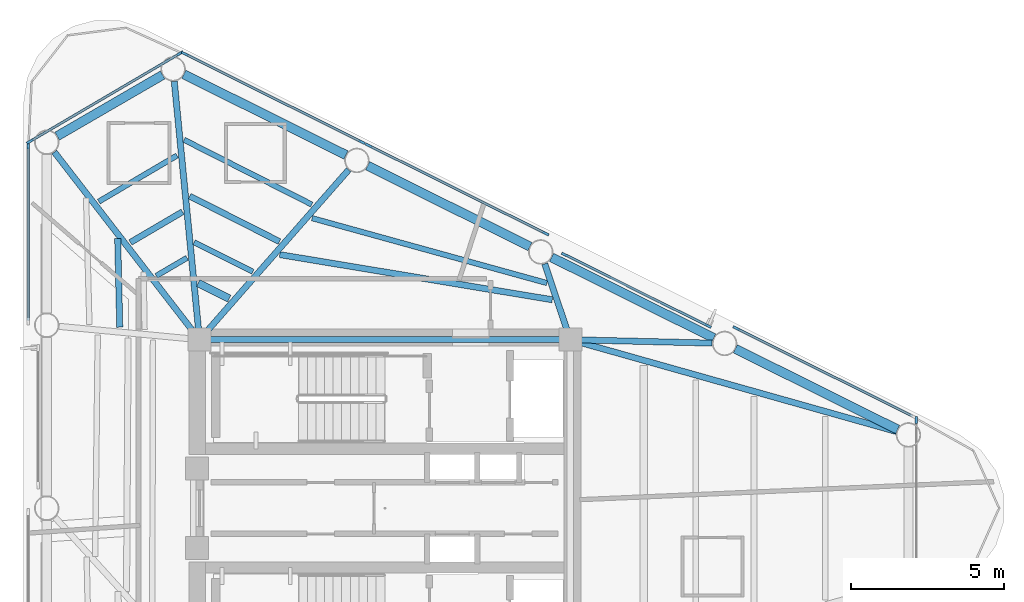
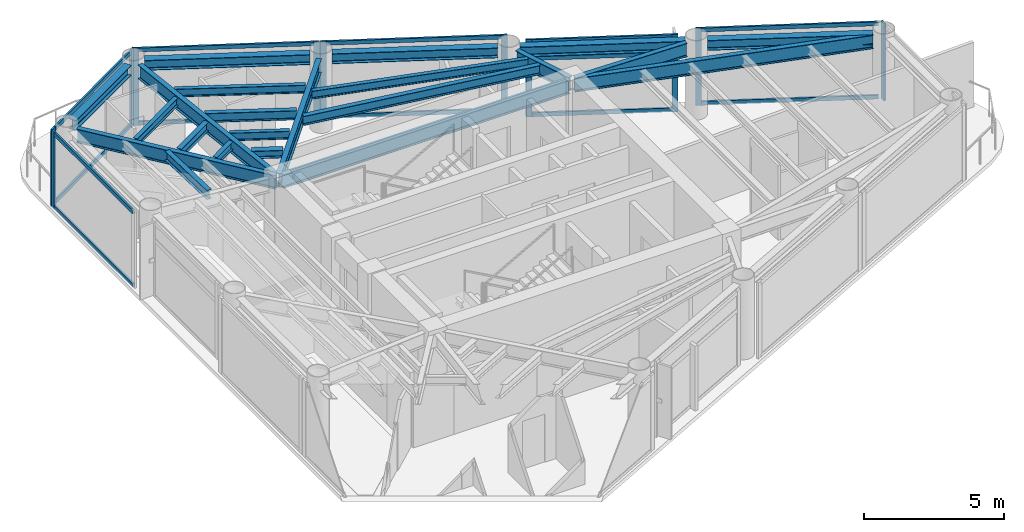
# One storey, part 3 of 10: 24 members, 22 beams, 7 elements without a shape of their own.
"""IFC4 building model written with IfcOpenShell, lengths in metres."""

from ifc_helpers import new_model, si_unit, direction, frame, origin, origin_2d, place, context, subcontext, project, spatial, rectangle, i_section, extrude, source, transform, mapped, material, layer, layer_set, material_profile, profile_set, type_object, element, aggregate, save


model = new_model("IFC4")

# Units and contexts
model_context = context("Model", 3, precision=1e-05, world=origin(), true_north=direction((0.0, 1.0)))
body_context = subcontext(model_context, "Body", "Model", "MODEL_VIEW")
ifc_project = project(units=[si_unit("LENGTHUNIT", "METRE"), si_unit("AREAUNIT", "SQUARE_METRE"), si_unit("VOLUMEUNIT", "CUBIC_METRE"), si_unit("PLANEANGLEUNIT", "RADIAN"), si_unit("MASSUNIT", "GRAM", prefix="KILO")], contexts=[model_context])

# Site, building, storey
site_placement = place(None, origin())
site = spatial("IfcSite", under=ifc_project, at=site_placement, CompositionType="ELEMENT")
building_placement = place(site_placement, origin())
building = spatial("IfcBuilding", under=site, at=building_placement, Name="Yunling Apex Tower", CompositionType="ELEMENT")
storey_placement = place(building_placement, frame((0.0, 0.0, 300.199951171875)))
storey = spatial("IfcBuildingStorey", under=building, at=storey_placement, Name="L73", CompositionType="ELEMENT", Elevation=300.199951171875)

# Beams
ifc_material_1 = material(Name="Steel Q355B", Category="steel")
ifc_material_profile_1 = material_profile(ifc_material_1, i_section(OverallWidth=0.199951171875, OverallDepth=0.60009765625, WebThickness=0.010986328125, FlangeThickness=0.01708984375, FilletRadius=0.02197265625, at=origin_2d()))
ifc_profile_set_1 = profile_set([ifc_material_profile_1], Name="Steel Q355B")
beam_type_1 = type_object("IfcBeamType", Name="BG-PRI-5", PredefinedType="USERDEFINED", material=ifc_profile_set_1)
shared_shape_1 = source(origin(), body_context, "Body", "SweptSolid", [
    extrude(i_section(OverallWidth=0.199951171875, OverallDepth=0.60009765625, WebThickness=0.010986328125, FlangeThickness=0.01708984375, FilletRadius=0.02197265625, at=origin_2d()), origin(), (0.0, 0.0, 1.0), 11.7998046875),
])
beam_1_placement = place(storey_placement, frame((5.89990234375, 5.5, 2.969970703125), z_axis=(-1.0, 0.0, 0.0), x_axis=(0.0, -1.0, 0.0)))
element("IfcBeam", 1, at=beam_1_placement, inside=storey, type_object=beam_type_1, Name="L73 Core Ring Tie Beam 3", ObjectType="GIRDER", PredefinedType="USERDEFINED", context=body_context, shape_type="MappedRepresentation", body=[
    mapped(shared_shape_1, transform((0.0, 0.0, 0.0), scale=1.0)),
])
ifc_material_profile_2 = material_profile(ifc_material_1, i_section(OverallWidth=0.300048828125, OverallDepth=0.43994140625, WebThickness=0.010986328125, FlangeThickness=0.01806640625, FilletRadius=0.02197265625, at=origin_2d()))
ifc_profile_set_2 = profile_set([ifc_material_profile_2], Name="Steel Q355B")
beam_type_2 = type_object("IfcBeamType", Name="BP-SPN-3", PredefinedType="SPANDREL", material=ifc_profile_set_2)
shared_shape_2 = source(origin(), body_context, "Body", "SweptSolid", [
    extrude(i_section(OverallWidth=0.300048828125, OverallDepth=0.43994140625, WebThickness=0.010986328125, FlangeThickness=0.01806640625, FilletRadius=0.02197265625, at=origin_2d()), origin(), (0.0, 0.0, 1.0), 5.914306640625),
])
for number, where, z_axis, x_axis, name in (
    (2, (4.733642578125, 8.539794921875, 3.050048828125), (-0.895267705164, 0.445528602999, 0.0), (-0.445528602999, -0.895267705164, 0.0), "L73 Perimeter Spandrel Beam 8"),
    (3, (-1.2666015625, 11.52587890625, 3.050048828125), (-0.895243044542, 0.445578153861, 0.0), (-0.445578153861, -0.895243044542, 0.0), "L73 Perimeter Spandrel Beam 9"),
):
    element("IfcBeam", number, at=place(storey_placement, frame(where, z_axis=z_axis, x_axis=x_axis)), inside=storey, type_object=beam_type_2, Name=name, PredefinedType="SPANDREL", context=body_context, shape_type="MappedRepresentation", body=[
        mapped(shared_shape_2, transform((0.0, 0.0, 0.0), scale=1.0)),
    ])
shared_shape_3 = source(origin(), body_context, "Body", "SweptSolid", [
    extrude(i_section(OverallWidth=0.300048828125, OverallDepth=0.43994140625, WebThickness=0.010986328125, FlangeThickness=0.01806640625, FilletRadius=0.02197265625, at=origin_2d()), origin(), (0.0, 0.0, 1.0), 5.9140625),
])
for number, where, z_axis, x_axis, name in (
    (4, (16.73388671875, 2.567138671875, 3.050048828125), (-0.895259510924, 0.445545068539, 0.0), (-0.445545068539, -0.895259510924, 0.0), "L73 Perimeter Spandrel Beam 6"),
    (5, (10.733642578125, 5.553466796875, 3.050048828125), (-0.895259510924, 0.445545068539, 0.0), (-0.445545068539, -0.895259510924, 0.0), "L73 Perimeter Spandrel Beam 7"),
):
    element("IfcBeam", number, at=place(storey_placement, frame(where, z_axis=z_axis, x_axis=x_axis)), inside=storey, type_object=beam_type_2, Name=name, PredefinedType="SPANDREL", context=body_context, shape_type="MappedRepresentation", body=[
        mapped(shared_shape_3, transform((0.0, 0.0, 0.0), scale=1.0)),
    ])
shared_shape_4 = source(origin(), body_context, "Body", "SweptSolid", [
    extrude(i_section(OverallWidth=0.300048828125, OverallDepth=0.43994140625, WebThickness=0.010986328125, FlangeThickness=0.01806640625, FilletRadius=0.02197265625, at=origin_2d()), origin(), (0.0, 0.0, 1.0), 3.978515625),
])
beam_2_placement = place(storey_placement, frame((-7.2548828125, 14.138916015625, 3.050048828125), z_axis=(-0.865064744393, -0.501660231639, 0.0), x_axis=(0.501660231639, -0.865064744393, 0.0)))
element("IfcBeam", 6, at=beam_2_placement, inside=storey, type_object=beam_type_2, Name="L73 Perimeter Spandrel Beam 10", PredefinedType="SPANDREL", context=body_context, shape_type="MappedRepresentation", body=[
    mapped(shared_shape_4, transform((0.0, 0.0, 0.0), scale=1.0)),
])
shared_shape_5 = source(origin(), body_context, "Body", "SweptSolid", [
    extrude(i_section(OverallWidth=0.199951171875, OverallDepth=0.60009765625, WebThickness=0.010986328125, FlangeThickness=0.01708984375, FilletRadius=0.02197265625, at=origin_2d()), origin(), (0.0, 0.0, 1.0), 8.390869140625),
])
beam_3_placement = place(storey_placement, frame((-6.874267578125, 13.9306640625, 2.969970703125), z_axis=(0.097296792844, -0.995255411491, 0.0), x_axis=(0.995255411491, 0.097296792844, 0.0)))
element("IfcBeam", 7, at=beam_3_placement, inside=storey, type_object=beam_type_1, Name="L73 Radial Primary Girder R10", ObjectType="GIRDER", PredefinedType="USERDEFINED", context=body_context, shape_type="MappedRepresentation", body=[
    mapped(shared_shape_5, transform((0.0, 0.0, 0.0), scale=1.0)),
])
shared_shape_6 = source(origin(), body_context, "Body", "SweptSolid", [
    extrude(i_section(OverallWidth=0.199951171875, OverallDepth=0.60009765625, WebThickness=0.010986328125, FlangeThickness=0.01708984375, FilletRadius=0.02197265625, at=origin_2d()), origin(), (0.0, 0.0, 1.0), 7.297119140625),
])
beam_4_placement = place(storey_placement, frame((-1.18310546875, 11.043701171875, 2.969970703125), z_axis=(-0.659747259747, -0.751487560281, 0.0), x_axis=(0.751487560281, -0.659747259747, 0.0)))
element("IfcBeam", 8, at=beam_4_placement, inside=storey, type_object=beam_type_1, Name="L73 Radial Primary Girder R09", ObjectType="GIRDER", PredefinedType="USERDEFINED", context=body_context, shape_type="MappedRepresentation", body=[
    mapped(shared_shape_6, transform((0.0, 0.0, 0.0), scale=1.0)),
])
shared_shape_7 = source(origin(), body_context, "Body", "SweptSolid", [
    extrude(i_section(OverallWidth=0.199951171875, OverallDepth=0.60009765625, WebThickness=0.010986328125, FlangeThickness=0.01708984375, FilletRadius=0.02197265625, at=origin_2d()), origin(), (0.0, 0.0, 1.0), 2.533935546875),
])
beam_5_placement = place(storey_placement, frame((5.21630859375, 7.977294921875, 2.969970703125), z_axis=(0.318914628896, -0.947783445454, 0.0), x_axis=(0.947783445454, 0.318914628896, 0.0)))
element("IfcBeam", 9, at=beam_5_placement, inside=storey, type_object=beam_type_1, Name="L73 Radial Primary Girder R08", ObjectType="GIRDER", PredefinedType="USERDEFINED", context=body_context, shape_type="MappedRepresentation", body=[
    mapped(shared_shape_7, transform((0.0, 0.0, 0.0), scale=1.0)),
])
shared_shape_8 = source(origin(), body_context, "Body", "SweptSolid", [
    extrude(i_section(OverallWidth=0.199951171875, OverallDepth=0.60009765625, WebThickness=0.010986328125, FlangeThickness=0.01708984375, FilletRadius=0.02197265625, at=origin_2d()), origin(), (0.0, 0.0, 1.0), 4.5498046875),
])
beam_6_placement = place(storey_placement, frame((10.678466796875, 5.3876953125, 2.969970703125), z_axis=(-0.999705840498, 0.024253504369, 0.0), x_axis=(-0.024253504369, -0.999705840498, 0.0)))
element("IfcBeam", 10, at=beam_6_placement, inside=storey, type_object=beam_type_1, Name="L73 Radial Primary Girder R07", ObjectType="GIRDER", PredefinedType="USERDEFINED", context=body_context, shape_type="MappedRepresentation", body=[
    mapped(shared_shape_8, transform((0.0, 0.0, 0.0), scale=1.0)),
])
shared_shape_9 = source(origin(), body_context, "Body", "SweptSolid", [
    extrude(i_section(OverallWidth=0.199951171875, OverallDepth=0.60009765625, WebThickness=0.010986328125, FlangeThickness=0.01708984375, FilletRadius=0.02197265625, at=origin_2d()), origin(), (0.0, 0.0, 1.0), 10.97802734375),
])
beam_7_placement = place(storey_placement, frame((16.69384765625, 2.502197265625, 2.969970703125), z_axis=(-0.962552702816, 0.271094622414, 0.0), x_axis=(-0.271094622414, -0.962552702816, 0.0)))
element("IfcBeam", 11, at=beam_7_placement, inside=storey, type_object=beam_type_1, Name="L73 Radial Primary Girder R06", ObjectType="GIRDER", PredefinedType="USERDEFINED", context=body_context, shape_type="MappedRepresentation", body=[
    mapped(shared_shape_9, transform((0.0, 0.0, 0.0), scale=1.0)),
])
shared_shape_10 = source(origin(), body_context, "Body", "SweptSolid", [
    extrude(i_section(OverallWidth=0.199951171875, OverallDepth=0.60009765625, WebThickness=0.010986328125, FlangeThickness=0.01708984375, FilletRadius=0.02197265625, at=origin_2d()), origin(), (0.0, 0.0, 1.0), 7.661376953125),
])
beam_8_placement = place(storey_placement, frame((-10.78759765625, 11.62255859375, 2.969970703125), z_axis=(0.611959789037, -0.790888877531, 0.0), x_axis=(0.790888877531, 0.611959789037, 0.0)))
element("IfcBeam", 12, at=beam_8_placement, inside=storey, type_object=beam_type_1, Name="L73 Radial Primary Girder R11", ObjectType="GIRDER", PredefinedType="USERDEFINED", context=body_context, shape_type="MappedRepresentation", body=[
    mapped(shared_shape_10, transform((0.0, 0.0, 0.0), scale=1.0)),
])
ifc_material_profile_3 = material_profile(ifc_material_1, i_section(OverallWidth=0.199951171875, OverallDepth=0.39990234375, WebThickness=0.008056640625, FlangeThickness=0.012939453125, FilletRadius=0.01611328125, at=origin_2d()))
ifc_profile_set_3 = profile_set([ifc_material_profile_3], Name="Steel Q355B")
beam_type_3 = type_object("IfcBeamType", Name="BS-SEC-4", PredefinedType="BEAM", material=ifc_profile_set_3)
shared_shape_11 = source(origin(), body_context, "Body", "SweptSolid", [
    extrude(i_section(OverallWidth=0.199951171875, OverallDepth=0.39990234375, WebThickness=0.008056640625, FlangeThickness=0.012939453125, FilletRadius=0.01611328125, at=origin_2d()), origin(), (0.0, 0.0, 1.0), 3.281494140625),
])
beam_9_placement = place(storey_placement, frame((-3.444091796875, 8.703125, 3.070068359375), z_axis=(-0.892364297468, 0.451315810275, 0.0), x_axis=(-0.451315810275, -0.892364297468, 0.0)))
element("IfcBeam", 13, at=beam_9_placement, inside=storey, type_object=beam_type_3, Name="L73 Composite Floor Beam BS-9", PredefinedType="BEAM", context=body_context, shape_type="MappedRepresentation", body=[
    mapped(shared_shape_11, transform((0.0, 0.0, 0.0), scale=1.0)),
])
ifc_material_profile_4 = material_profile(ifc_material_1, i_section(OverallWidth=0.175048828125, OverallDepth=0.35009765625, WebThickness=0.007080078125, FlangeThickness=0.010986328125, FilletRadius=0.013916015625, at=origin_2d()))
ifc_profile_set_4 = profile_set([ifc_material_profile_4], Name="Steel Q355B")
beam_type_4 = type_object("IfcBeamType", Name="BJ-JST-1", PredefinedType="JOIST", material=ifc_profile_set_4)
shared_shape_12 = source(origin(), body_context, "Body", "SweptSolid", [
    extrude(i_section(OverallWidth=0.175048828125, OverallDepth=0.35009765625, WebThickness=0.007080078125, FlangeThickness=0.010986328125, FilletRadius=0.013916015625, at=origin_2d()), origin(), (0.0, 0.0, 1.0), 4.67138671875),
])
beam_10_placement = place(storey_placement, frame((-2.385009765625, 9.90966796875, 3.094970703125), z_axis=(-0.892031280848, 0.45197366515, 0.0), x_axis=(-0.45197366515, -0.892031280848, 0.0)))
element("IfcBeam", 14, at=beam_10_placement, inside=storey, type_object=beam_type_4, Name="L73 Composite Floor Joist BJ1-9", PredefinedType="JOIST", context=body_context, shape_type="MappedRepresentation", body=[
    mapped(shared_shape_12, transform((0.0, 0.0, 0.0), scale=1.0)),
])
shared_shape_13 = source(origin(), body_context, "Body", "SweptSolid", [
    extrude(i_section(OverallWidth=0.175048828125, OverallDepth=0.35009765625, WebThickness=0.007080078125, FlangeThickness=0.010986328125, FilletRadius=0.013916015625, at=origin_2d()), origin(), (0.0, 0.0, 1.0), 2.143798828125),
])
beam_11_placement = place(storey_placement, frame((-4.310791015625, 7.7158203125, 3.094970703125), z_axis=(-0.892941835578, 0.45017205408, 0.0), x_axis=(-0.45017205408, -0.892941835578, 0.0)))
element("IfcBeam", 15, at=beam_11_placement, inside=storey, type_object=beam_type_4, Name="L73 Composite Floor Joist BJ3-9", PredefinedType="JOIST", context=body_context, shape_type="MappedRepresentation", body=[
    mapped(shared_shape_13, transform((0.0, 0.0, 0.0), scale=1.0)),
])
ifc_material_profile_5 = material_profile(ifc_material_1, i_section(OverallWidth=0.25, OverallDepth=0.340087890625, WebThickness=0.009033203125, FlangeThickness=0.013916015625, FilletRadius=0.01806640625, at=origin_2d()))
ifc_profile_set_5 = profile_set([ifc_material_profile_5], Name="Steel Q355B")
beam_type_5 = type_object("IfcBeamType", Name="BJ-JST-2", PredefinedType="JOIST", material=ifc_profile_set_5)
shared_shape_14 = source(origin(), body_context, "Body", "SweptSolid", [
    extrude(i_section(OverallWidth=0.25, OverallDepth=0.340087890625, WebThickness=0.009033203125, FlangeThickness=0.013916015625, FilletRadius=0.01806640625, at=origin_2d()), origin(), (0.0, 0.0, 1.0), 1.1328125),
])
beam_12_placement = place(storey_placement, frame((-5.081298828125, 6.838134765625, 3.10009765625), z_axis=(-0.894211562533, 0.447644592765, 0.0), x_axis=(-0.447644592765, -0.894211562533, 0.0)))
element("IfcBeam", 16, at=beam_12_placement, inside=storey, type_object=beam_type_5, Name="L73 Composite Floor Joist BJ2-9", PredefinedType="JOIST", context=body_context, shape_type="MappedRepresentation", body=[
    mapped(shared_shape_14, transform((0.0, 0.0, 0.0), scale=1.0)),
])
shared_shape_15 = source(origin(), body_context, "Body", "SweptSolid", [
    extrude(i_section(OverallWidth=0.199951171875, OverallDepth=0.39990234375, WebThickness=0.008056640625, FlangeThickness=0.012939453125, FilletRadius=0.01611328125, at=origin_2d()), origin(), (0.0, 0.0, 1.0), 9.01611328125),
])
beam_13_placement = place(storey_placement, frame((5.462646484375, 6.802734375, 3.070068359375), z_axis=(-0.986561729833, 0.163388962996, 0.0), x_axis=(-0.163388962996, -0.986561729833, 0.0)))
element("IfcBeam", 17, at=beam_13_placement, inside=storey, type_object=beam_type_3, Name="L73 Composite Floor Beam BS-8", PredefinedType="BEAM", context=body_context, shape_type="MappedRepresentation", body=[
    mapped(shared_shape_15, transform((0.0, 0.0, 0.0), scale=1.0)),
])
shared_shape_16 = source(origin(), body_context, "Body", "SweptSolid", [
    extrude(i_section(OverallWidth=0.175048828125, OverallDepth=0.35009765625, WebThickness=0.007080078125, FlangeThickness=0.010986328125, FilletRadius=0.013916015625, at=origin_2d()), origin(), (0.0, 0.0, 1.0), 7.952392578125),
])
beam_14_placement = place(storey_placement, frame((5.288330078125, 7.34765625, 3.094970703125), z_axis=(-0.963874198485, 0.266357897377, 0.0), x_axis=(-0.266357897377, -0.963874198485, 0.0)))
element("IfcBeam", 18, at=beam_14_placement, inside=storey, type_object=beam_type_4, Name="L73 Composite Floor Joist BJ1-8", PredefinedType="JOIST", context=body_context, shape_type="MappedRepresentation", body=[
    mapped(shared_shape_16, transform((0.0, 0.0, 0.0), scale=1.0)),
])
shared_shape_17 = source(origin(), body_context, "Body", "SweptSolid", [
    extrude(i_section(OverallWidth=0.199951171875, OverallDepth=0.39990234375, WebThickness=0.008056640625, FlangeThickness=0.012939453125, FilletRadius=0.01611328125, at=origin_2d()), origin(), (0.0, 0.0, 1.0), 1.9736328125),
])
beam_15_placement = place(storey_placement, frame((-6.60400390625, 9.674072265625, 3.070068359375), z_axis=(-0.862118606545, -0.506706530694, 0.0), x_axis=(0.506706530694, -0.862118606545, 0.0)))
element("IfcBeam", 19, at=beam_15_placement, inside=storey, type_object=beam_type_3, Name="L73 Composite Floor Beam BS-10", PredefinedType="BEAM", context=body_context, shape_type="MappedRepresentation", body=[
    mapped(shared_shape_17, transform((0.0, 0.0, 0.0), scale=1.0)),
])
shared_shape_18 = source(origin(), body_context, "Body", "SweptSolid", [
    extrude(i_section(OverallWidth=0.175048828125, OverallDepth=0.35009765625, WebThickness=0.007080078125, FlangeThickness=0.010986328125, FilletRadius=0.013916015625, at=origin_2d()), origin(), (0.0, 0.0, 1.0), 2.96337890625),
])
beam_16_placement = place(storey_placement, frame((-6.783447265625, 11.510986328125, 3.094970703125), z_axis=(-0.861658767358, -0.507488097038, 0.0), x_axis=(0.507488097038, -0.861658767358, 0.0)))
element("IfcBeam", 20, at=beam_16_placement, inside=storey, type_object=beam_type_4, Name="L73 Composite Floor Joist BJ1-10", PredefinedType="JOIST", context=body_context, shape_type="MappedRepresentation", body=[
    mapped(shared_shape_18, transform((0.0, 0.0, 0.0), scale=1.0)),
])
shared_shape_19 = source(origin(), body_context, "Body", "SweptSolid", [
    extrude(i_section(OverallWidth=0.175048828125, OverallDepth=0.35009765625, WebThickness=0.007080078125, FlangeThickness=0.010986328125, FilletRadius=0.013916015625, at=origin_2d()), origin(), (0.0, 0.0, 1.0), 1.16357421875),
])
beam_17_placement = place(storey_placement, frame((-6.457275390625, 8.171142578125, 3.094970703125), z_axis=(-0.862833680606, -0.50548792232, 0.0), x_axis=(0.50548792232, -0.862833680606, 0.0)))
element("IfcBeam", 21, at=beam_17_placement, inside=storey, type_object=beam_type_4, Name="L73 Composite Floor Joist BJ3-10", PredefinedType="JOIST", context=body_context, shape_type="MappedRepresentation", body=[
    mapped(shared_shape_19, transform((0.0, 0.0, 0.0), scale=1.0)),
])
shared_shape_20 = source(origin(), body_context, "Body", "SweptSolid", [
    extrude(i_section(OverallWidth=0.199951171875, OverallDepth=0.39990234375, WebThickness=0.008056640625, FlangeThickness=0.012939453125, FilletRadius=0.01611328125, at=origin_2d()), origin(), (0.0, 0.0, 1.0), 2.890869140625),
])
beam_18_placement = place(storey_placement, frame((-8.720947265625, 8.796630859375, 3.070068359375), z_axis=(0.023139604217, -0.999732243512, 0.0), x_axis=(0.999732243512, 0.023139604217, 0.0)))
element("IfcBeam", 22, at=beam_18_placement, inside=storey, type_object=beam_type_3, Name="L73 Composite Floor Beam BS-11", PredefinedType="BEAM", context=body_context, shape_type="MappedRepresentation", body=[
    mapped(shared_shape_20, transform((0.0, 0.0, 0.0), scale=1.0)),
])

# Curtain wall, members
ifc_material_2 = material(Name="Bronze anodised aluminium", Category="aluminium")
ifc_layer = layer(ifc_material_2, 0.219970703125)
ifc_layer_set = layer_set([ifc_layer], Name="Bronze anodised aluminium")
curtain_wall_type = type_object("IfcCurtainWallType", Name="CW-SYS-4", PredefinedType="NOTDEFINED", material=ifc_layer_set)
curtain_wall_1_placement = place(storey_placement, origin())
curtain_wall_1 = element("IfcCurtainWall", 23, at=curtain_wall_1_placement, inside=storey, type_object=curtain_wall_type, Name="CW-L73-F2-B4", PredefinedType="NOTDEFINED")
ifc_material_profile_6 = material_profile(ifc_material_2, rectangle(XDim=0.080078125, YDim=0.169921875, at=origin_2d()))
ifc_profile_set_6 = profile_set([ifc_material_profile_6], Name="Bronze anodised aluminium")
member_type_1 = type_object("IfcMemberType", Name="CW-TRN-4", PredefinedType="USERDEFINED", material=ifc_profile_set_6)
shared_shape_21 = source(origin(), body_context, "Body", "SweptSolid", [
    extrude(rectangle(XDim=0.080078125, YDim=0.169921875, at=origin_2d()), origin(), (0.0, 0.0, 1.0), 6.39013671875),
])
member_1_placement = place(storey_placement, frame((-0.78173828125, 11.966064453125, 0.0400390625), z_axis=(-0.89525092504, 0.445562320238, 0.0), x_axis=(-0.445562320238, -0.89525092504, 0.0)))
member_1 = element("IfcMember", 24, at=member_1_placement, type_object=member_type_1, Name="CW-SYS-4 transom 1.1", ObjectType="TRANSOM", PredefinedType="USERDEFINED", context=body_context, shape_type="MappedRepresentation", body=[
    mapped(shared_shape_21, transform((0.0, 0.0, 0.0), scale=1.0)),
])
member_2_placement = place(storey_placement, frame((-0.78173828125, 11.966064453125, 3.22998046875), z_axis=(-0.89525092504, 0.445562320238, 0.0), x_axis=(-0.445562320238, -0.89525092504, 0.0)))
member_2 = element("IfcMember", 25, at=member_2_placement, type_object=member_type_1, Name="CW-SYS-4 transom 1.2", ObjectType="TRANSOM", PredefinedType="USERDEFINED", context=body_context, shape_type="MappedRepresentation", body=[
    mapped(shared_shape_21, transform((0.0, 0.0, 0.0), scale=1.0)),
])

curtain_wall_2_placement = place(storey_placement, origin())
curtain_wall_2 = element("IfcCurtainWall", 26, at=curtain_wall_2_placement, inside=storey, type_object=curtain_wall_type, Name="CW-L73-F2-B1", PredefinedType="NOTDEFINED")
shared_shape_22 = source(origin(), body_context, "Body", "SweptSolid", [
    extrude(rectangle(XDim=0.080078125, YDim=0.169921875, at=origin_2d()), origin(), (0.0, 0.0, 1.0), 6.390380859375),
])
member_3_placement = place(storey_placement, frame((17.21875, 3.007080078125, 0.0400390625), z_axis=(-0.895258509594, 0.445547080565, 0.0), x_axis=(-0.445547080565, -0.895258509594, 0.0)))
member_3 = element("IfcMember", 27, at=member_3_placement, type_object=member_type_1, Name="CW-SYS-4 transom 1.1", ObjectType="TRANSOM", PredefinedType="USERDEFINED", context=body_context, shape_type="MappedRepresentation", body=[
    mapped(shared_shape_22, transform((0.0, 0.0, 0.0), scale=1.0)),
])
member_4_placement = place(storey_placement, frame((17.21875, 3.007080078125, 3.22998046875), z_axis=(-0.895258509594, 0.445547080565, 0.0), x_axis=(-0.445547080565, -0.895258509594, 0.0)))
member_4 = element("IfcMember", 28, at=member_4_placement, type_object=member_type_1, Name="CW-SYS-4 transom 1.2", ObjectType="TRANSOM", PredefinedType="USERDEFINED", context=body_context, shape_type="MappedRepresentation", body=[
    mapped(shared_shape_22, transform((0.0, 0.0, 0.0), scale=1.0)),
])

curtain_wall_3_placement = place(storey_placement, origin())
curtain_wall_3 = element("IfcCurtainWall", 29, at=curtain_wall_3_placement, inside=storey, type_object=curtain_wall_type, Name="CW-L73-F2-B3", PredefinedType="NOTDEFINED")
member_5_placement = place(storey_placement, frame((5.218505859375, 8.979736328125, 0.0400390625), z_axis=(-0.895243270113, 0.44557770065, 0.0), x_axis=(-0.44557770065, -0.895243270113, 0.0)))
member_5 = element("IfcMember", 30, at=member_5_placement, type_object=member_type_1, Name="CW-SYS-4 transom 1.1", ObjectType="TRANSOM", PredefinedType="USERDEFINED", context=body_context, shape_type="MappedRepresentation", body=[
    mapped(shared_shape_22, transform((0.0, 0.0, 0.0), scale=1.0)),
])
member_6_placement = place(storey_placement, frame((5.218505859375, 8.979736328125, 3.22998046875), z_axis=(-0.895243270113, 0.44557770065, 0.0), x_axis=(-0.44557770065, -0.895243270113, 0.0)))
member_6 = element("IfcMember", 31, at=member_6_placement, type_object=member_type_1, Name="CW-SYS-4 transom 1.2", ObjectType="TRANSOM", PredefinedType="USERDEFINED", context=body_context, shape_type="MappedRepresentation", body=[
    mapped(shared_shape_22, transform((0.0, 0.0, 0.0), scale=1.0)),
])

curtain_wall_4_placement = place(storey_placement, origin())
curtain_wall_4 = element("IfcCurtainWall", 32, at=curtain_wall_4_placement, inside=storey, type_object=curtain_wall_type, Name="CW-L73-F2-B2", PredefinedType="NOTDEFINED")
shared_shape_23 = source(origin(), body_context, "Body", "SweptSolid", [
    extrude(rectangle(XDim=0.080078125, YDim=0.169921875, at=origin_2d()), origin(), (0.0, 0.0, 1.0), 5.150146484375),
])
member_7_placement = place(storey_placement, frame((10.511962890625, 5.96533203125, 0.0400390625), z_axis=(-0.895231613188, 0.445601120676, 0.0), x_axis=(-0.445601120676, -0.895231613188, 0.0)))
member_7 = element("IfcMember", 33, at=member_7_placement, type_object=member_type_1, Name="CW-SYS-4 transom 1.1", ObjectType="TRANSOM", PredefinedType="USERDEFINED", context=body_context, shape_type="MappedRepresentation", body=[
    mapped(shared_shape_23, transform((0.0, 0.0, 0.0), scale=1.0)),
])
member_8_placement = place(storey_placement, frame((10.511962890625, 5.96533203125, 2.4853515625), z_axis=(-0.895231613188, 0.445601120676, 0.0), x_axis=(-0.445601120676, -0.895231613188, 0.0)))
member_8 = element("IfcMember", 34, at=member_8_placement, type_object=member_type_1, Name="CW-SYS-4 transom 1.2", ObjectType="TRANSOM", PredefinedType="USERDEFINED", context=body_context, shape_type="MappedRepresentation", body=[
    mapped(shared_shape_23, transform((0.0, 0.0, 0.0), scale=1.0)),
])
member_9_placement = place(storey_placement, frame((10.511962890625, 5.96533203125, 3.22998046875), z_axis=(-0.895231613188, 0.445601120676, 0.0), x_axis=(-0.445601120676, -0.895231613188, 0.0)))
member_9 = element("IfcMember", 35, at=member_9_placement, type_object=member_type_1, Name="CW-SYS-4 transom 1.3", ObjectType="TRANSOM", PredefinedType="USERDEFINED", context=body_context, shape_type="MappedRepresentation", body=[
    mapped(shared_shape_23, transform((0.0, 0.0, 0.0), scale=1.0)),
])

curtain_wall_5_placement = place(storey_placement, origin())
curtain_wall_5 = element("IfcCurtainWall", 36, at=curtain_wall_5_placement, inside=storey, type_object=curtain_wall_type, Name="CW-L73-CRN2", PredefinedType="NOTDEFINED")
shared_shape_24 = source(origin(), body_context, "Body", "SweptSolid", [
    extrude(rectangle(XDim=0.080078125, YDim=0.169921875, at=origin_2d()), origin(), (0.0, 0.0, 1.0), 5.61767578125),
])
member_10_placement = place(storey_placement, frame((-6.716552734375, 14.82666015625, 0.0400390625), z_axis=(-0.862486715055, -0.506079703558, 0.0), x_axis=(0.506079703558, -0.862486715055, 0.0)))
member_10 = element("IfcMember", 37, at=member_10_placement, type_object=member_type_1, Name="CW-SYS-4 transom 1.1", ObjectType="TRANSOM", PredefinedType="USERDEFINED", context=body_context, shape_type="MappedRepresentation", body=[
    mapped(shared_shape_24, transform((0.0, 0.0, 0.0), scale=1.0)),
])
member_11_placement = place(storey_placement, frame((-6.716552734375, 14.82666015625, 3.22998046875), z_axis=(-0.862486715055, -0.506079703558, 0.0), x_axis=(0.506079703558, -0.862486715055, 0.0)))
member_11 = element("IfcMember", 38, at=member_11_placement, type_object=member_type_1, Name="CW-SYS-4 transom 1.2", ObjectType="TRANSOM", PredefinedType="USERDEFINED", context=body_context, shape_type="MappedRepresentation", body=[
    mapped(shared_shape_24, transform((0.0, 0.0, 0.0), scale=1.0)),
])

curtain_wall_6_placement = place(storey_placement, origin())
curtain_wall_6 = element("IfcCurtainWall", 39, at=curtain_wall_6_placement, inside=storey, type_object=curtain_wall_type, Name="CW-L73-F3-B1", PredefinedType="NOTDEFINED")
shared_shape_25 = source(origin(), body_context, "Body", "SweptSolid", [
    extrude(rectangle(XDim=0.080078125, YDim=0.169921875, at=origin_2d()), origin(), (0.0, 0.0, 1.0), 5.66064453125),
])
member_12_placement = place(storey_placement, frame((-11.647216796875, 11.789306640625, 0.0400390625), z_axis=(0.0, -1.0, 0.0), x_axis=(1.0, 0.0, 0.0)))
member_12 = element("IfcMember", 40, at=member_12_placement, type_object=member_type_1, Name="CW-SYS-4 transom 1.1", ObjectType="TRANSOM", PredefinedType="USERDEFINED", context=body_context, shape_type="MappedRepresentation", body=[
    mapped(shared_shape_25, transform((0.0, 0.0, 0.0), scale=1.0)),
])
member_13_placement = place(storey_placement, frame((-11.647216796875, 11.789306640625, 3.22998046875), z_axis=(0.0, -1.0, 0.0), x_axis=(1.0, 0.0, 0.0)))
member_13 = element("IfcMember", 41, at=member_13_placement, type_object=member_type_1, Name="CW-SYS-4 transom 1.2", ObjectType="TRANSOM", PredefinedType="USERDEFINED", context=body_context, shape_type="MappedRepresentation", body=[
    mapped(shared_shape_25, transform((0.0, 0.0, 0.0), scale=1.0)),
])

# Curtain wall, member
curtain_wall_7_placement = place(storey_placement, origin())
curtain_wall_7 = element("IfcCurtainWall", 42, at=curtain_wall_7_placement, inside=storey, type_object=curtain_wall_type, Name="CW-L73-CRN1", PredefinedType="NOTDEFINED")
ifc_material_profile_7 = material_profile(ifc_material_2, rectangle(XDim=0.080078125, YDim=0.219970703125, at=origin_2d()))
ifc_profile_set_7 = profile_set([ifc_material_profile_7], Name="Bronze anodised aluminium")
member_type_2 = type_object("IfcMemberType", Name="CW-MUL-4", PredefinedType="MULLION", material=ifc_profile_set_7)
shared_shape_26 = source(origin(), body_context, "Body", "SweptSolid", [
    extrude(rectangle(XDim=0.080078125, YDim=0.219970703125, at=origin_2d()), origin(), (0.0, 0.0, 1.0), 3.3701171875),
])
member_14_placement = place(storey_placement, frame((17.349365234375, 2.879638671875, -0.050048828125), z_axis=(0.0, 0.0, 1.0), x_axis=(-1.0, 0.0, 0.0)))
member_14 = element("IfcMember", 43, at=member_14_placement, type_object=member_type_2, Name="CW-SYS-4 mullion 2", PredefinedType="MULLION", context=body_context, shape_type="MappedRepresentation", body=[
    mapped(shared_shape_26, transform((0.0, 0.0, 0.0), scale=1.0)),
])
aggregate(curtain_wall_7, [member_14])

# Member
member_15_placement = place(storey_placement, frame((11.465576171875, 5.870361328125, -0.050048828125), z_axis=(0.0, 0.0, 1.0), x_axis=(-0.445568135078, -0.895248030996, 0.0)))
member_15 = element("IfcMember", 44, at=member_15_placement, type_object=member_type_2, Name="CW-SYS-4 mullion 2", PredefinedType="MULLION", context=body_context, shape_type="MappedRepresentation", body=[
    mapped(shared_shape_26, transform((0.0, 0.0, 0.0), scale=1.0)),
])

aggregate(curtain_wall_2, [member_15, member_3, member_4])

member_16_placement = place(storey_placement, frame((10.544189453125, 5.94921875, -0.050048828125), z_axis=(0.0, 0.0, 1.0), x_axis=(-0.445583360305, -0.895240453185, 0.0)))
member_16 = element("IfcMember", 45, at=member_16_placement, type_object=member_type_2, Name="CW-SYS-4 mullion 1", PredefinedType="MULLION", context=body_context, shape_type="MappedRepresentation", body=[
    mapped(shared_shape_26, transform((0.0, 0.0, 0.0), scale=1.0)),
])

member_17_placement = place(storey_placement, frame((5.869140625, 8.276123046875, -0.050048828125), z_axis=(0.0, 0.0, 1.0), x_axis=(-0.445583360305, -0.895240453185, 0.0)))
member_17 = element("IfcMember", 46, at=member_17_placement, type_object=member_type_2, Name="CW-SYS-4 mullion 2", PredefinedType="MULLION", context=body_context, shape_type="MappedRepresentation", body=[
    mapped(shared_shape_26, transform((0.0, 0.0, 0.0), scale=1.0)),
])

aggregate(curtain_wall_4, [member_16, member_17, member_7, member_8, member_9])

member_18_placement = place(storey_placement, frame((5.250732421875, 8.963623046875, -0.050048828125), z_axis=(0.0, 0.0, 1.0), x_axis=(-0.445562037917, -0.895251065549, 0.0)))
member_18 = element("IfcMember", 47, at=member_18_placement, type_object=member_type_2, Name="CW-SYS-4 mullion 1", PredefinedType="MULLION", context=body_context, shape_type="MappedRepresentation", body=[
    mapped(shared_shape_26, transform((0.0, 0.0, 0.0), scale=1.0)),
])

member_19_placement = place(storey_placement, frame((-0.53466796875, 11.843017578125, -0.050048828125), z_axis=(0.0, 0.0, 1.0), x_axis=(-0.445562037917, -0.895251065549, 0.0)))
member_19 = element("IfcMember", 48, at=member_19_placement, type_object=member_type_2, Name="CW-SYS-4 mullion 2", PredefinedType="MULLION", context=body_context, shape_type="MappedRepresentation", body=[
    mapped(shared_shape_26, transform((0.0, 0.0, 0.0), scale=1.0)),
])

aggregate(curtain_wall_3, [member_18, member_19, member_5, member_6])

member_20_placement = place(storey_placement, frame((-0.74951171875, 11.949951171875, -0.050048828125), z_axis=(0.0, 0.0, 1.0), x_axis=(-0.445568135078, -0.895248030996, 0.0)))
member_20 = element("IfcMember", 49, at=member_20_placement, type_object=member_type_2, Name="CW-SYS-4 mullion 1", PredefinedType="MULLION", context=body_context, shape_type="MappedRepresentation", body=[
    mapped(shared_shape_26, transform((0.0, 0.0, 0.0), scale=1.0)),
])

member_21_placement = place(storey_placement, frame((-6.534912109375, 14.829345703125, -0.050048828125), z_axis=(0.0, 0.0, 1.0), x_axis=(-0.445568135078, -0.895248030996, 0.0)))
member_21 = element("IfcMember", 50, at=member_21_placement, type_object=member_type_2, Name="CW-SYS-4 mullion 2", PredefinedType="MULLION", context=body_context, shape_type="MappedRepresentation", body=[
    mapped(shared_shape_26, transform((0.0, 0.0, 0.0), scale=1.0)),
])

aggregate(curtain_wall_1, [member_20, member_21, member_1, member_2])

member_22_placement = place(storey_placement, frame((-6.685546875, 14.8447265625, -0.050048828125), z_axis=(0.0, 0.0, 1.0), x_axis=(0.506057076658, -0.862499991399, 0.0)))
member_22 = element("IfcMember", 51, at=member_22_placement, type_object=member_type_2, Name="CW-SYS-4 mullion 1", PredefinedType="MULLION", context=body_context, shape_type="MappedRepresentation", body=[
    mapped(shared_shape_26, transform((0.0, 0.0, 0.0), scale=1.0)),
])

member_23_placement = place(storey_placement, frame((-11.5927734375, 11.965576171875, -0.050048828125), z_axis=(0.0, 0.0, 1.0), x_axis=(0.506057076658, -0.862499991399, 0.0)))
member_23 = element("IfcMember", 52, at=member_23_placement, type_object=member_type_2, Name="CW-SYS-4 mullion 2", PredefinedType="MULLION", context=body_context, shape_type="MappedRepresentation", body=[
    mapped(shared_shape_26, transform((0.0, 0.0, 0.0), scale=1.0)),
])

aggregate(curtain_wall_5, [member_22, member_23, member_10, member_11])

member_24_placement = place(storey_placement, frame((-11.647216796875, 11.8251953125, -0.050048828125), z_axis=(0.0, 0.0, 1.0), x_axis=(1.0, 0.0, 0.0)))
member_24 = element("IfcMember", 53, at=member_24_placement, type_object=member_type_2, Name="CW-SYS-4 mullion 1", PredefinedType="MULLION", context=body_context, shape_type="MappedRepresentation", body=[
    mapped(shared_shape_26, transform((0.0, 0.0, 0.0), scale=1.0)),
])

aggregate(curtain_wall_6, [member_24, member_12, member_13])

save(model, "model.ifc")
